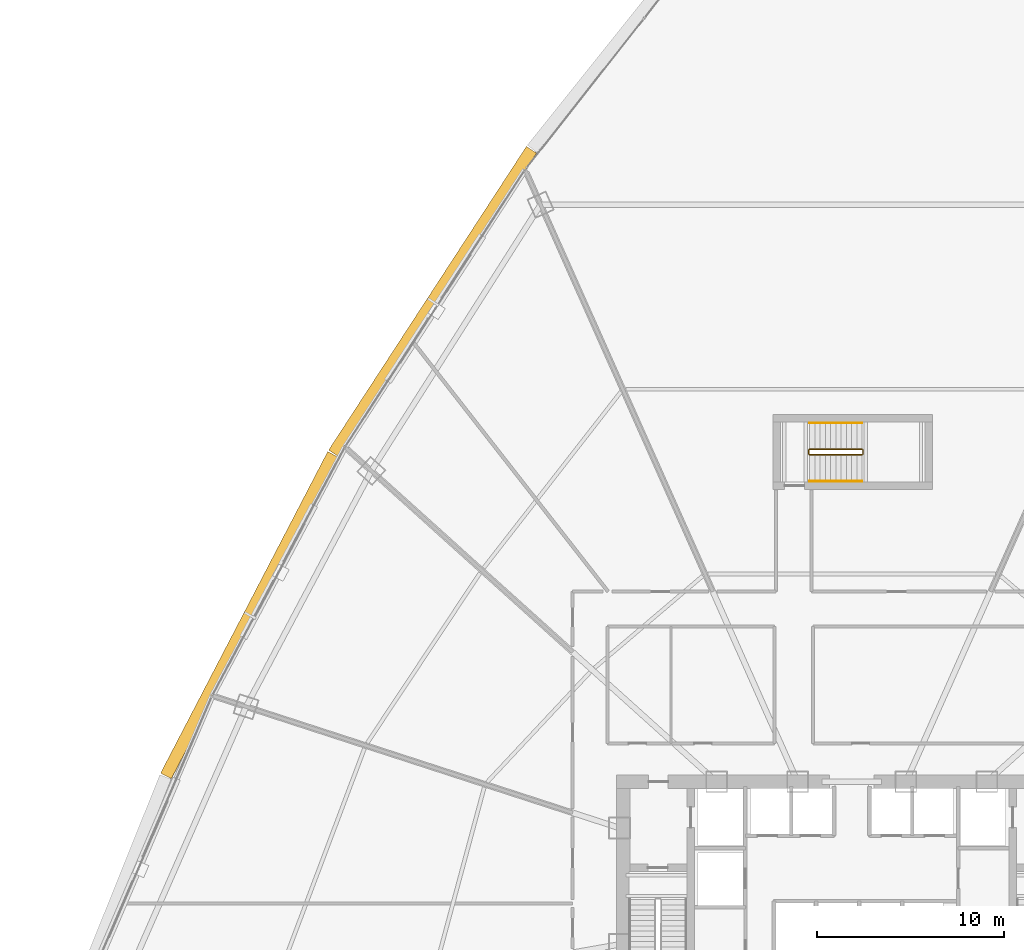
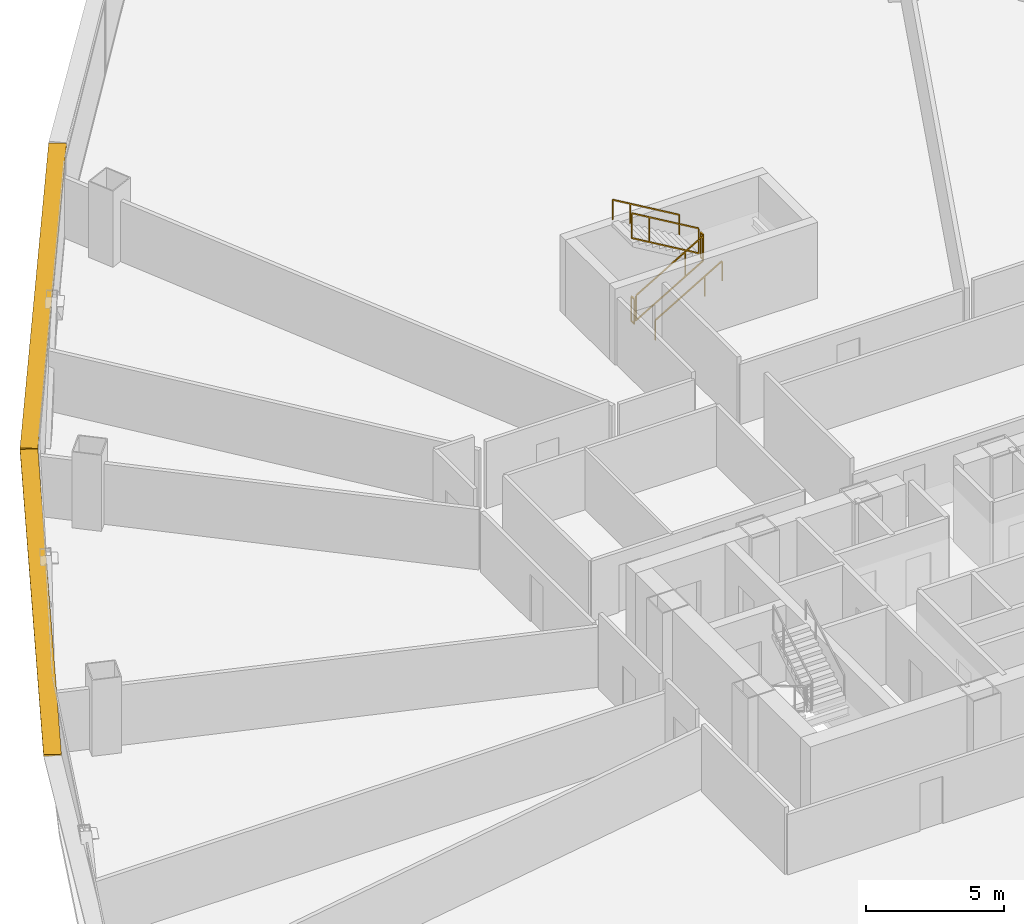
# One storey, part 37 of 38: 6 railings, 2 shading devices.
"""IFC4 building model written with IfcOpenShell, lengths in metres."""

import ifcopenshell
import ifcopenshell.guid

model = None  # the IFC model being written
_history = None  # IfcOwnerHistory: only IFC2X3 demands one
_inside = {}  # id of a spatial element -> (the spatial element, [elements in it])
_under = {}  # id of a project, library or spatial element -> (it, [spatial elements below it])
_declared = {}  # id of a project -> (the project, [libraries it declares])
_typed = {}  # id of a type object -> (the type object, [elements of that type])
_made_of = {}  # id of a material, layer set ... -> (it, [elements and type objects made of it])


def new_model(schema):
    """Start an empty IFC model of exactly this schema.

    Asked for "IFC4X3", IfcOpenShell would pick the latest addendum, in which some entities
    have other attributes; the version numbers below select the first issue.
    IFC2X3 requires an IfcOwnerHistory on every rooted entity: one is made here for all.
    """
    global model, _history
    if schema == "IFC4X3":
        model = ifcopenshell.file(schema_version=(4, 3, 0, 0))
    else:
        model = ifcopenshell.file(schema=schema)
    _inside.clear()
    _under.clear()
    _declared.clear()
    _typed.clear()
    _made_of.clear()
    _history = None
    if model.schema == "IFC2X3":
        org = make("IfcOrganization", Name="unknown")
        user = make(
            "IfcPersonAndOrganization",
            ThePerson=make("IfcPerson", FamilyName="unknown"),
            TheOrganization=org,
        )
        app = make(
            "IfcApplication",
            ApplicationDeveloper=org,
            Version="unknown",
            ApplicationFullName="unknown",
            ApplicationIdentifier="unknown",
        )
        _history = make(
            "IfcOwnerHistory",
            OwningUser=user,
            OwningApplication=app,
            ChangeAction="ADDED",
            CreationDate=0,
        )
    return model


def make(cls, **values):
    """One entity of the class cls with the attributes given. An attribute that is None is left unset."""
    return model.create_entity(
        cls, **{name: value for name, value in values.items() if value is not None}
    )


def rooted(cls, **values):
    """An entity with a GlobalId (a new one), such as an element, a storey or a relation."""
    return make(cls, GlobalId=ifcopenshell.guid.new(), OwnerHistory=_history, **values)


def si_unit(unit_type, name, prefix=None):
    """IfcSIUnit, for example si_unit("LENGTHUNIT", "METRE", prefix="MILLI")."""
    return make("IfcSIUnit", UnitType=unit_type, Prefix=prefix, Name=name)


def assignment(units):
    """IfcUnitAssignment: the units of a project."""
    return None if units is None else make("IfcUnitAssignment", Units=units)


def point(xyz):
    """IfcCartesianPoint."""
    return None if xyz is None else make("IfcCartesianPoint", Coordinates=xyz)


def direction(xyz):
    """IfcDirection."""
    return None if xyz is None else make("IfcDirection", DirectionRatios=xyz)


def frame(location, z_axis=None, x_axis=None):
    """IfcAxis2Placement3D, a coordinate frame: its origin and axes. An axis left out is left unset."""
    return make(
        "IfcAxis2Placement3D",
        Location=point(location),
        Axis=direction(z_axis),
        RefDirection=direction(x_axis),
    )


def frame_2d(location, x_axis=None):
    """IfcAxis2Placement2D, a coordinate frame in the plane: its origin and x axis."""
    return make(
        "IfcAxis2Placement2D", Location=point(location), RefDirection=direction(x_axis)
    )


def origin():
    """The frame at (0, 0, 0) with its axes left unset."""
    return frame((0.0, 0.0, 0.0))


def origin_2d():
    """The frame at (0, 0) in the plane with its x axis left unset."""
    return frame_2d((0.0, 0.0))


def place(relative_to, where):
    """IfcLocalPlacement: puts the frame where relative to a parent placement (None: the world)."""
    return make(
        "IfcLocalPlacement", PlacementRelTo=relative_to, RelativePlacement=where
    )


def context(
    kind, dimensions, precision=None, world=None, true_north=None, identifier=None
):
    """IfcGeometricRepresentationContext, for example the 3D "Model" context."""
    return make(
        "IfcGeometricRepresentationContext",
        ContextIdentifier=identifier,
        ContextType=kind,
        CoordinateSpaceDimension=dimensions,
        Precision=precision,
        WorldCoordinateSystem=world,
        TrueNorth=true_north,
    )


def subcontext(parent, identifier, kind, view, scale=None):
    """IfcGeometricRepresentationSubContext, for example "Body" below "Model"."""
    return make(
        "IfcGeometricRepresentationSubContext",
        ContextIdentifier=identifier,
        ContextType=kind,
        ParentContext=parent,
        TargetScale=scale,
        TargetView=view,
    )


def project(units=None, contexts=None):
    """IfcProject with its units and contexts."""
    return rooted(
        "IfcProject",
        Name="project",
        RepresentationContexts=contexts,
        UnitsInContext=assignment(units),
    )


def spatial(cls, under=None, at=None, **own):
    """A site, building, storey or space (cls), placed at a placement, below another one or the project."""
    s = rooted(cls, ObjectPlacement=at, **own)
    if under is not None:
        _under.setdefault(under.id(), (under, []))[1].append(s)
    return s


def profile(cls, at=None, kind="AREA", **sizes):
    """A parametric profile (cls). Its sizes go by their IFC names, for example OverallWidth=200.0."""
    return make(cls, ProfileType=kind, Position=at, **sizes)


def rectangle(**sizes):
    """IfcRectangleProfileDef."""
    return profile("IfcRectangleProfileDef", **sizes)


def extrude(swept, where, along, depth):
    """IfcExtrudedAreaSolid: the profile swept, set in the frame where, extruded along a direction by depth."""
    return make(
        "IfcExtrudedAreaSolid",
        SweptArea=swept,
        Position=where,
        ExtrudedDirection=direction(along),
        Depth=depth,
    )


def shape(context_of_items, identifier, shape_type, items):
    """IfcShapeRepresentation: the items that make up one representation, for example the "Body"."""
    return make(
        "IfcShapeRepresentation",
        ContextOfItems=context_of_items,
        RepresentationIdentifier=identifier,
        RepresentationType=shape_type,
        Items=items,
    )


def source(mapping_origin, context_of_items, identifier, shape_type, items):
    """IfcRepresentationMap: a shape defined once, which mapped items show again and again."""
    return make(
        "IfcRepresentationMap",
        MappingOrigin=mapping_origin,
        MappedRepresentation=shape(context_of_items, identifier, shape_type, items),
    )


def transform(
    local_origin,
    x_axis=None,
    y_axis=None,
    z_axis=None,
    scale=None,
    scale2=None,
    scale3=None,
    uniform=True,
):
    """IfcCartesianTransformationOperator3D, or its non-uniform kind. x_axis, y_axis, z_axis: its Axis1, 2, 3."""
    if uniform:
        return make(
            "IfcCartesianTransformationOperator3D",
            Axis1=direction(x_axis),
            Axis2=direction(y_axis),
            LocalOrigin=point(local_origin),
            Scale=scale,
            Axis3=direction(z_axis),
        )
    return make(
        "IfcCartesianTransformationOperator3DnonUniform",
        Axis1=direction(x_axis),
        Axis2=direction(y_axis),
        LocalOrigin=point(local_origin),
        Scale=scale,
        Axis3=direction(z_axis),
        Scale2=scale2,
        Scale3=scale3,
    )


def mapped(mapping_source, mapping_target):
    """IfcMappedItem: shows the shape of a source again, moved by a transform."""
    return make(
        "IfcMappedItem", MappingSource=mapping_source, MappingTarget=mapping_target
    )


def material(Name=None, Category=None):
    """IfcMaterial."""
    return make("IfcMaterial", Name=Name, Category=Category)


def layer(
    of_material, thickness, ventilated=None, Name=None, Category=None, Priority=None
):
    """IfcMaterialLayer: one layer of a wall or slab, of a material (None: an air gap)."""
    return make(
        "IfcMaterialLayer",
        Material=of_material,
        LayerThickness=thickness,
        IsVentilated=ventilated,
        Name=Name,
        Category=Category,
        Priority=Priority,
    )


def layer_set(layers, Name=None):
    """IfcMaterialLayerSet."""
    return make("IfcMaterialLayerSet", MaterialLayers=layers, LayerSetName=Name)


def made_of(thing, what):
    """Note that an element or type object is made of a material, layer set ...; save() writes the relation."""
    if what is not None:
        _made_of.setdefault(what.id(), (what, []))[1].append(thing)
    return thing


def type_object(cls, material=None, **own):
    """A type object (cls), such as IfcWallType, which elements share."""
    return made_of(rooted(cls, **own), material)


def element(
    cls,
    number,
    at=None,
    inside=None,
    cuts=None,
    type_object=None,
    material=None,
    context=None,
    identifier="Body",
    shape_type=None,
    held_by="IfcProductDefinitionShape",
    body=None,
    shapes=None,
    **own,
):
    """One element of the class cls, such as IfcWall. Its Tag is "e" and its number.

    at: its placement. inside: the storey or other place that contains it. cuts: it is an
    opening in that element (IfcRelVoidsElement). A single representation is given by context,
    identifier, shape_type and body (its items); several are given by shapes. held_by: the class
    of the entity that holds the representations. save() writes the other relations.
    """
    e = rooted(cls, Tag="e%d" % number, ObjectPlacement=at, **own)
    if body is not None:
        shapes = [shape(context, identifier, shape_type, body)]
    if shapes is not None:
        e.Representation = make(held_by, Representations=shapes)
    if inside is not None:
        _inside.setdefault(inside.id(), (inside, []))[1].append(e)
    if cuts is not None:
        rooted(
            "IfcRelVoidsElement", RelatingBuildingElement=cuts, RelatedOpeningElement=e
        )
    if type_object is not None:
        _typed.setdefault(type_object.id(), (type_object, []))[1].append(e)
    return made_of(e, material)


def aggregate(whole, parts):
    """IfcRelAggregates: a whole, such as a stair, and the parts it consists of."""
    return rooted("IfcRelAggregates", RelatingObject=whole, RelatedObjects=parts)


def save(model, path):
    """Write the relations noted so far, then the file.

    IfcRelAggregates (storeys below a building ...), IfcRelContainedInSpatialStructure (elements
    in a storey), IfcRelDefinesByType, IfcRelAssociatesMaterial and IfcRelDeclares: one each for
    every whole, place, type object, material and project.
    """
    for whole, parts in _under.values():
        aggregate(whole, parts)
    for where, things in _inside.values():
        rooted(
            "IfcRelContainedInSpatialStructure",
            RelatedElements=things,
            RelatingStructure=where,
        )
    for kind, things in _typed.values():
        rooted("IfcRelDefinesByType", RelatedObjects=things, RelatingType=kind)
    for what, things in _made_of.values():
        rooted("IfcRelAssociatesMaterial", RelatedObjects=things, RelatingMaterial=what)
    for by, libraries in _declared.values():
        rooted("IfcRelDeclares", RelatingContext=by, RelatedDefinitions=libraries)
    model.write(path)


model = new_model("IFC4")

# Units and contexts
model_context = context("Model", 3, precision=1e-05, world=origin(), true_north=direction((0.0, 1.0)))
body_context = subcontext(model_context, "Body", "Model", "MODEL_VIEW")
ifc_project = project(units=[si_unit("LENGTHUNIT", "METRE"), si_unit("AREAUNIT", "SQUARE_METRE"), si_unit("VOLUMEUNIT", "CUBIC_METRE"), si_unit("PLANEANGLEUNIT", "RADIAN"), si_unit("MASSUNIT", "GRAM", prefix="KILO"), si_unit("THERMODYNAMICTEMPERATUREUNIT", "KELVIN"), si_unit("POWERUNIT", "WATT")], contexts=[model_context])

# Site, building, storey
site_placement = place(None, origin())
site = spatial("IfcSite", under=ifc_project, at=site_placement, CompositionType="ELEMENT")
building_placement = place(site_placement, origin())
building = spatial("IfcBuilding", under=site, at=building_placement, Name="Yunzhuo Pagoda Commons", CompositionType="ELEMENT")
storey_placement = place(building_placement, frame((0.0, 0.0, 37.659912109375)))
storey = spatial("IfcBuildingStorey", under=building, at=storey_placement, Name="L09", CompositionType="ELEMENT", Elevation=37.659912109375)

# Railings
ifc_material = material(Name="Anodized aluminium 6063-T6", Category="aluminium")
railing_type_1 = type_object("IfcRailingType", Name="GR-ST3 North Well Guardrail 1155", PredefinedType="GUARDRAIL", material=ifc_material)
railing_1_placement = place(storey_placement, frame((45.75, 57.64990234375, 0.1650390625)))
element("IfcRailing", 1, at=railing_1_placement, inside=storey, type_object=railing_type_1, Name="L09 ST3 stair guard 1", PredefinedType="GUARDRAIL", context=body_context, shape_type="SweptSolid", body=[
    extrude(rectangle(XDim=0.048095703125, YDim=0.048095703125, at=origin_2d()), frame((0.0, 0.0, 1.1259765625), z_axis=(0.86152261977, 0.0, 0.507719189732), x_axis=(0.0, 1.0, 0.0)), (0.0, 0.0, 1.0), 3.25),
    extrude(rectangle(XDim=0.048095703125, YDim=0.048095703125, at=origin_2d()), frame((0.0, 0.0, 0.02392578125), z_axis=(0.86152261977, 0.0, 0.507719189732), x_axis=(0.0, 1.0, 0.0)), (0.0, 0.0, 1.0), 3.25),
    extrude(rectangle(XDim=0.0419921875, YDim=0.0419921875, at=origin_2d()), origin(), (0.0, 0.0, 1.0), 1.101806640625),
    extrude(rectangle(XDim=0.0419921875, YDim=0.0419921875, at=origin_2d()), frame((2.067626953125, 0.0, 1.218505859375)), (0.0, 0.0, 1.0), 1.101806640625),
    extrude(rectangle(XDim=0.0419921875, YDim=0.0419921875, at=origin_2d()), frame((2.800048828125, 0.0, 1.650146484375)), (0.0, 0.0, 1.0), 1.101806640625),
])
railing_2_placement = place(storey_placement, frame((48.60009765625, 57.699951171875, 1.815185546875)))
element("IfcRailing", 2, at=railing_2_placement, inside=storey, type_object=railing_type_1, Name="L09 ST3 stair guard 2", PredefinedType="GUARDRAIL", context=body_context, shape_type="SweptSolid", body=[
    extrude(rectangle(XDim=0.048095703125, YDim=0.048095703125, at=origin_2d()), frame((0.0, 0.0, 1.1259765625), z_axis=(0.0, 1.0, 0.0), x_axis=(-1.0, 0.0, 0.0)), (0.0, 0.0, 1.0), 0.199951171875),
    extrude(rectangle(XDim=0.048095703125, YDim=0.048095703125, at=origin_2d()), frame((0.0, 0.0, 0.02392578125), z_axis=(0.0, 1.0, 0.0), x_axis=(-1.0, 0.0, 0.0)), (0.0, 0.0, 1.0), 0.199951171875),
    extrude(rectangle(XDim=0.0419921875, YDim=0.0419921875, at=origin_2d()), origin(), (0.0, 0.0, 1.0), 1.101806640625),
    extrude(rectangle(XDim=0.0419921875, YDim=0.0419921875, at=origin_2d()), frame((0.0, 0.199951171875, 0.0)), (0.0, 0.0, 1.0), 1.101806640625),
])
railing_3_placement = place(storey_placement, frame((48.550048828125, 57.949951171875, 1.97998046875)))
element("IfcRailing", 3, at=railing_3_placement, inside=storey, type_object=railing_type_1, Name="L09 ST3 stair guard 3", PredefinedType="GUARDRAIL", context=body_context, shape_type="SweptSolid", body=[
    extrude(rectangle(XDim=0.048095703125, YDim=0.048095703125, at=origin_2d()), frame((0.0, 0.0, 1.1259765625), z_axis=(-0.86152261977, 0.0, 0.507719189732), x_axis=(0.0, -1.0, 0.0)), (0.0, 0.0, 1.0), 3.25),
    extrude(rectangle(XDim=0.048095703125, YDim=0.048095703125, at=origin_2d()), frame((0.0, 0.0, 0.02392578125), z_axis=(-0.86152261977, 0.0, 0.507719189732), x_axis=(0.0, -1.0, 0.0)), (0.0, 0.0, 1.0), 3.25),
    extrude(rectangle(XDim=0.0419921875, YDim=0.0419921875, at=origin_2d()), origin(), (0.0, 0.0, 1.0), 1.101806640625),
    extrude(rectangle(XDim=0.0419921875, YDim=0.0419921875, at=origin_2d()), frame((-2.067626953125, 0.0, 1.218505859375)), (0.0, 0.0, 1.0), 1.101806640625),
    extrude(rectangle(XDim=0.0419921875, YDim=0.0419921875, at=origin_2d()), frame((-2.800048828125, 0.0, 1.650146484375)), (0.0, 0.0, 1.0), 1.101806640625),
])
railing_4_placement = place(storey_placement, frame((45.699951171875, 57.699951171875, 0.0)))
element("IfcRailing", 4, at=railing_4_placement, inside=storey, type_object=railing_type_1, Name="L09 ST3 stair guard 4", PredefinedType="GUARDRAIL", context=body_context, shape_type="SweptSolid", body=[
    extrude(rectangle(XDim=0.048095703125, YDim=0.048095703125, at=origin_2d()), frame((0.0, 0.0, 1.1259765625), z_axis=(0.0, 1.0, 0.0), x_axis=(-1.0, 0.0, 0.0)), (0.0, 0.0, 1.0), 0.199951171875),
    extrude(rectangle(XDim=0.048095703125, YDim=0.048095703125, at=origin_2d()), frame((0.0, 0.0, 0.02392578125), z_axis=(0.0, 1.0, 0.0), x_axis=(-1.0, 0.0, 0.0)), (0.0, 0.0, 1.0), 0.199951171875),
    extrude(rectangle(XDim=0.0419921875, YDim=0.0419921875, at=origin_2d()), origin(), (0.0, 0.0, 1.0), 1.101806640625),
    extrude(rectangle(XDim=0.0419921875, YDim=0.0419921875, at=origin_2d()), frame((0.0, 0.199951171875, 0.0)), (0.0, 0.0, 1.0), 1.101806640625),
])
railing_type_2 = type_object("IfcRailingType", Name="HR-ST3 North Stair Handrail 900", PredefinedType="HANDRAIL", material=ifc_material)
railing_5_placement = place(storey_placement, frame((45.75, 56.25, 0.1650390625)))
element("IfcRailing", 5, at=railing_5_placement, inside=storey, type_object=railing_type_2, Name="L09 ST3 stair handrail 1", PredefinedType="HANDRAIL", context=body_context, shape_type="SweptSolid", body=[
    extrude(rectangle(XDim=0.048095703125, YDim=0.048095703125, at=origin_2d()), frame((0.0, 0.0, 0.8759765625), z_axis=(0.86152261977, 0.0, 0.507719189732), x_axis=(0.0, 1.0, 0.0)), (0.0, 0.0, 1.0), 3.25),
    extrude(rectangle(XDim=0.0419921875, YDim=0.0419921875, at=origin_2d()), origin(), (0.0, 0.0, 1.0), 0.851806640625),
    extrude(rectangle(XDim=0.0419921875, YDim=0.0419921875, at=origin_2d()), frame((2.067626953125, 0.0, 1.218505859375)), (0.0, 0.0, 1.0), 0.851806640625),
    extrude(rectangle(XDim=0.0419921875, YDim=0.0419921875, at=origin_2d()), frame((2.800048828125, 0.0, 1.650146484375)), (0.0, 0.0, 1.0), 0.851806640625),
])
railing_6_placement = place(storey_placement, frame((48.550048828125, 59.35009765625, 1.97998046875)))
element("IfcRailing", 6, at=railing_6_placement, inside=storey, type_object=railing_type_2, Name="L09 ST3 stair handrail 2", PredefinedType="HANDRAIL", context=body_context, shape_type="SweptSolid", body=[
    extrude(rectangle(XDim=0.048095703125, YDim=0.048095703125, at=origin_2d()), frame((0.0, 0.0, 0.8759765625), z_axis=(-0.86152261977, 0.0, 0.507719189732), x_axis=(0.0, -1.0, 0.0)), (0.0, 0.0, 1.0), 3.25),
    extrude(rectangle(XDim=0.0419921875, YDim=0.0419921875, at=origin_2d()), origin(), (0.0, 0.0, 1.0), 0.851806640625),
    extrude(rectangle(XDim=0.0419921875, YDim=0.0419921875, at=origin_2d()), frame((-2.067626953125, 0.0, 1.218505859375)), (0.0, 0.0, 1.0), 0.851806640625),
    extrude(rectangle(XDim=0.0419921875, YDim=0.0419921875, at=origin_2d()), frame((-2.800048828125, 0.0, 1.650146484375)), (0.0, 0.0, 1.0), 0.851806640625),
])

# Shading devices
ifc_layer = layer(ifc_material, 0.080078125)
ifc_layer_set = layer_set([ifc_layer], Name="Anodized aluminium 6063-T6")
shading_device_type = type_object("IfcShadingDeviceType", Name="SH-SUN1 Pagoda Horizontal Sunshade Eave 650", PredefinedType="USERDEFINED", material=ifc_layer_set)
shared_shape = source(origin(), body_context, "Body", "SweptSolid", [
    extrude(rectangle(XDim=19.345947265625, YDim=0.64990234375, at=origin_2d()), origin(), (0.0, 0.0, 1.0), 0.080078125),
])
for number, where, z_axis, x_axis, name in (
    (7, (25.621826171875, 65.834716796875, 3.2900390625), (0.0, 0.0, 1.0), (-0.545838756973, -0.837890238269, 0.0), "L09 horizontal pagoda sunshade eave F3.2"),
    (8, (15.8486328125, 49.09228515625, 3.2900390625), (0.0, 0.0, 1.0), (-0.461206683033, -0.88729273384, 0.0), "L09 horizontal pagoda sunshade eave F3.3"),
):
    element("IfcShadingDevice", number, at=place(storey_placement, frame(where, z_axis=z_axis, x_axis=x_axis)), inside=storey, type_object=shading_device_type, Name=name, ObjectType="SUNSHADE", PredefinedType="USERDEFINED", context=body_context, shape_type="MappedRepresentation", body=[
        mapped(shared_shape, transform((0.0, 0.0, 0.0), scale=1.0)),
    ])

save(model, "model.ifc")
